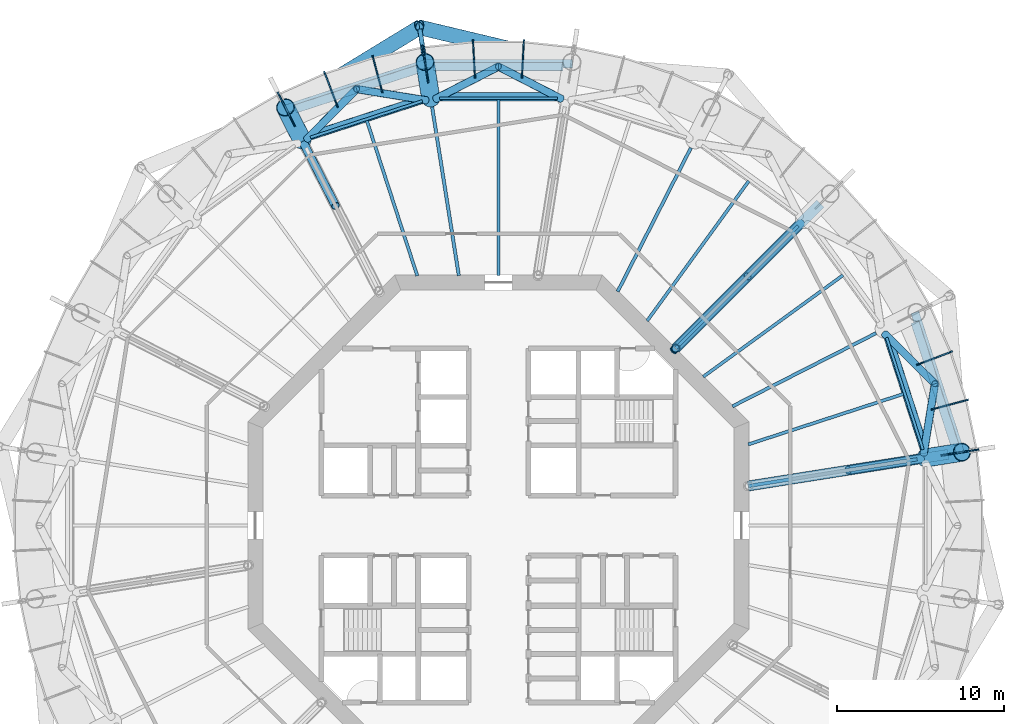
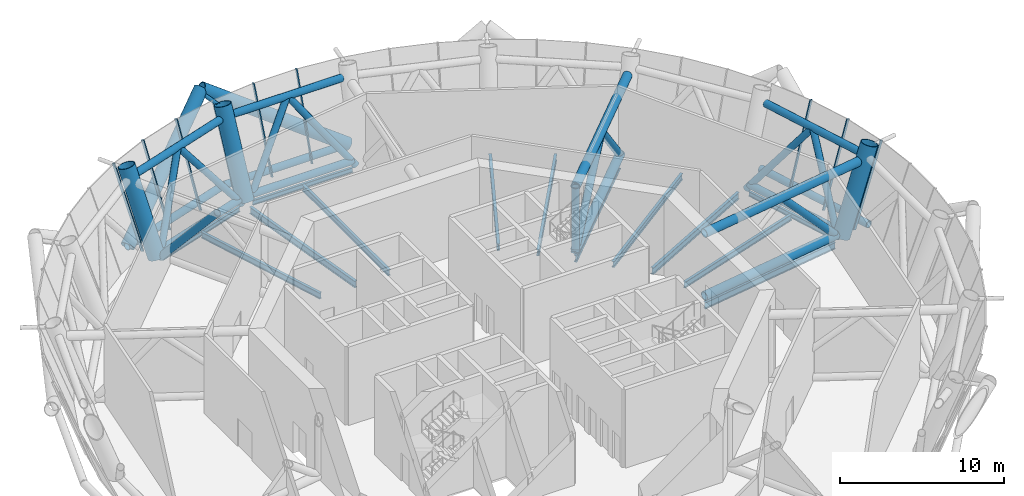
# One storey, part 5 of 15: 39 members, 13 beams, 4 elements without a shape of their own.
"""IFC4 building model written with IfcOpenShell, lengths in metres."""

import ifcopenshell
import ifcopenshell.guid

model = None  # the IFC model being written
_history = None  # IfcOwnerHistory: only IFC2X3 demands one
_inside = {}  # id of a spatial element -> (the spatial element, [elements in it])
_under = {}  # id of a project, library or spatial element -> (it, [spatial elements below it])
_declared = {}  # id of a project -> (the project, [libraries it declares])
_typed = {}  # id of a type object -> (the type object, [elements of that type])
_made_of = {}  # id of a material, layer set ... -> (it, [elements and type objects made of it])


def new_model(schema):
    """Start an empty IFC model of exactly this schema.

    Asked for "IFC4X3", IfcOpenShell would pick the latest addendum, in which some entities
    have other attributes; the version numbers below select the first issue.
    IFC2X3 requires an IfcOwnerHistory on every rooted entity: one is made here for all.
    """
    global model, _history
    if schema == "IFC4X3":
        model = ifcopenshell.file(schema_version=(4, 3, 0, 0))
    else:
        model = ifcopenshell.file(schema=schema)
    _inside.clear()
    _under.clear()
    _declared.clear()
    _typed.clear()
    _made_of.clear()
    _history = None
    if model.schema == "IFC2X3":
        org = make("IfcOrganization", Name="unknown")
        user = make(
            "IfcPersonAndOrganization",
            ThePerson=make("IfcPerson", FamilyName="unknown"),
            TheOrganization=org,
        )
        app = make(
            "IfcApplication",
            ApplicationDeveloper=org,
            Version="unknown",
            ApplicationFullName="unknown",
            ApplicationIdentifier="unknown",
        )
        _history = make(
            "IfcOwnerHistory",
            OwningUser=user,
            OwningApplication=app,
            ChangeAction="ADDED",
            CreationDate=0,
        )
    return model


def make(cls, **values):
    """One entity of the class cls with the attributes given. An attribute that is None is left unset."""
    return model.create_entity(
        cls, **{name: value for name, value in values.items() if value is not None}
    )


def rooted(cls, **values):
    """An entity with a GlobalId (a new one), such as an element, a storey or a relation."""
    return make(cls, GlobalId=ifcopenshell.guid.new(), OwnerHistory=_history, **values)


def si_unit(unit_type, name, prefix=None):
    """IfcSIUnit, for example si_unit("LENGTHUNIT", "METRE", prefix="MILLI")."""
    return make("IfcSIUnit", UnitType=unit_type, Prefix=prefix, Name=name)


def assignment(units):
    """IfcUnitAssignment: the units of a project."""
    return None if units is None else make("IfcUnitAssignment", Units=units)


def point(xyz):
    """IfcCartesianPoint."""
    return None if xyz is None else make("IfcCartesianPoint", Coordinates=xyz)


def direction(xyz):
    """IfcDirection."""
    return None if xyz is None else make("IfcDirection", DirectionRatios=xyz)


def frame(location, z_axis=None, x_axis=None):
    """IfcAxis2Placement3D, a coordinate frame: its origin and axes. An axis left out is left unset."""
    return make(
        "IfcAxis2Placement3D",
        Location=point(location),
        Axis=direction(z_axis),
        RefDirection=direction(x_axis),
    )


def frame_2d(location, x_axis=None):
    """IfcAxis2Placement2D, a coordinate frame in the plane: its origin and x axis."""
    return make(
        "IfcAxis2Placement2D", Location=point(location), RefDirection=direction(x_axis)
    )


def origin():
    """The frame at (0, 0, 0) with its axes left unset."""
    return frame((0.0, 0.0, 0.0))


def origin_2d():
    """The frame at (0, 0) in the plane with its x axis left unset."""
    return frame_2d((0.0, 0.0))


def place(relative_to, where):
    """IfcLocalPlacement: puts the frame where relative to a parent placement (None: the world)."""
    return make(
        "IfcLocalPlacement", PlacementRelTo=relative_to, RelativePlacement=where
    )


def context(
    kind, dimensions, precision=None, world=None, true_north=None, identifier=None
):
    """IfcGeometricRepresentationContext, for example the 3D "Model" context."""
    return make(
        "IfcGeometricRepresentationContext",
        ContextIdentifier=identifier,
        ContextType=kind,
        CoordinateSpaceDimension=dimensions,
        Precision=precision,
        WorldCoordinateSystem=world,
        TrueNorth=true_north,
    )


def subcontext(parent, identifier, kind, view, scale=None):
    """IfcGeometricRepresentationSubContext, for example "Body" below "Model"."""
    return make(
        "IfcGeometricRepresentationSubContext",
        ContextIdentifier=identifier,
        ContextType=kind,
        ParentContext=parent,
        TargetScale=scale,
        TargetView=view,
    )


def project(units=None, contexts=None):
    """IfcProject with its units and contexts."""
    return rooted(
        "IfcProject",
        Name="project",
        RepresentationContexts=contexts,
        UnitsInContext=assignment(units),
    )


def spatial(cls, under=None, at=None, **own):
    """A site, building, storey or space (cls), placed at a placement, below another one or the project."""
    s = rooted(cls, ObjectPlacement=at, **own)
    if under is not None:
        _under.setdefault(under.id(), (under, []))[1].append(s)
    return s


def profile(cls, at=None, kind="AREA", **sizes):
    """A parametric profile (cls). Its sizes go by their IFC names, for example OverallWidth=200.0."""
    return make(cls, ProfileType=kind, Position=at, **sizes)


def rectangle(**sizes):
    """IfcRectangleProfileDef."""
    return profile("IfcRectangleProfileDef", **sizes)


def circle(**sizes):
    """IfcCircleProfileDef."""
    return profile("IfcCircleProfileDef", **sizes)


def hollow_circle(**sizes):
    """IfcCircleHollowProfileDef."""
    return profile("IfcCircleHollowProfileDef", **sizes)


def i_section(**sizes):
    """IfcIShapeProfileDef."""
    return profile("IfcIShapeProfileDef", **sizes)


def extrude(swept, where, along, depth):
    """IfcExtrudedAreaSolid: the profile swept, set in the frame where, extruded along a direction by depth."""
    return make(
        "IfcExtrudedAreaSolid",
        SweptArea=swept,
        Position=where,
        ExtrudedDirection=direction(along),
        Depth=depth,
    )


def shape(context_of_items, identifier, shape_type, items):
    """IfcShapeRepresentation: the items that make up one representation, for example the "Body"."""
    return make(
        "IfcShapeRepresentation",
        ContextOfItems=context_of_items,
        RepresentationIdentifier=identifier,
        RepresentationType=shape_type,
        Items=items,
    )


def material(Name=None, Category=None):
    """IfcMaterial."""
    return make("IfcMaterial", Name=Name, Category=Category)


def layer(
    of_material, thickness, ventilated=None, Name=None, Category=None, Priority=None
):
    """IfcMaterialLayer: one layer of a wall or slab, of a material (None: an air gap)."""
    return make(
        "IfcMaterialLayer",
        Material=of_material,
        LayerThickness=thickness,
        IsVentilated=ventilated,
        Name=Name,
        Category=Category,
        Priority=Priority,
    )


def layer_set(layers, Name=None):
    """IfcMaterialLayerSet."""
    return make("IfcMaterialLayerSet", MaterialLayers=layers, LayerSetName=Name)


def material_profile(
    of_material, cross_section, Name=None, Category=None, Priority=None
):
    """IfcMaterialProfile: a cross section and its material."""
    return make(
        "IfcMaterialProfile",
        Name=Name,
        Material=of_material,
        Profile=cross_section,
        Priority=Priority,
        Category=Category,
    )


def profile_set(profiles, Name=None, composite=None):
    """IfcMaterialProfileSet."""
    return make(
        "IfcMaterialProfileSet",
        Name=Name,
        MaterialProfiles=profiles,
        CompositeProfile=composite,
    )


def made_of(thing, what):
    """Note that an element or type object is made of a material, layer set ...; save() writes the relation."""
    if what is not None:
        _made_of.setdefault(what.id(), (what, []))[1].append(thing)
    return thing


def type_object(cls, material=None, **own):
    """A type object (cls), such as IfcWallType, which elements share."""
    return made_of(rooted(cls, **own), material)


def element(
    cls,
    number,
    at=None,
    inside=None,
    cuts=None,
    type_object=None,
    material=None,
    context=None,
    identifier="Body",
    shape_type=None,
    held_by="IfcProductDefinitionShape",
    body=None,
    shapes=None,
    **own,
):
    """One element of the class cls, such as IfcWall. Its Tag is "e" and its number.

    at: its placement. inside: the storey or other place that contains it. cuts: it is an
    opening in that element (IfcRelVoidsElement). A single representation is given by context,
    identifier, shape_type and body (its items); several are given by shapes. held_by: the class
    of the entity that holds the representations. save() writes the other relations.
    """
    e = rooted(cls, Tag="e%d" % number, ObjectPlacement=at, **own)
    if body is not None:
        shapes = [shape(context, identifier, shape_type, body)]
    if shapes is not None:
        e.Representation = make(held_by, Representations=shapes)
    if inside is not None:
        _inside.setdefault(inside.id(), (inside, []))[1].append(e)
    if cuts is not None:
        rooted(
            "IfcRelVoidsElement", RelatingBuildingElement=cuts, RelatedOpeningElement=e
        )
    if type_object is not None:
        _typed.setdefault(type_object.id(), (type_object, []))[1].append(e)
    return made_of(e, material)


def aggregate(whole, parts):
    """IfcRelAggregates: a whole, such as a stair, and the parts it consists of."""
    return rooted("IfcRelAggregates", RelatingObject=whole, RelatedObjects=parts)


def save(model, path):
    """Write the relations noted so far, then the file.

    IfcRelAggregates (storeys below a building ...), IfcRelContainedInSpatialStructure (elements
    in a storey), IfcRelDefinesByType, IfcRelAssociatesMaterial and IfcRelDeclares: one each for
    every whole, place, type object, material and project.
    """
    for whole, parts in _under.values():
        aggregate(whole, parts)
    for where, things in _inside.values():
        rooted(
            "IfcRelContainedInSpatialStructure",
            RelatedElements=things,
            RelatingStructure=where,
        )
    for kind, things in _typed.values():
        rooted("IfcRelDefinesByType", RelatedObjects=things, RelatingType=kind)
    for what, things in _made_of.values():
        rooted("IfcRelAssociatesMaterial", RelatedObjects=things, RelatingMaterial=what)
    for by, libraries in _declared.values():
        rooted("IfcRelDeclares", RelatingContext=by, RelatedDefinitions=libraries)
    model.write(path)


model = new_model("IFC4")

# Units and contexts
model_context = context("Model", 3, precision=1e-05, world=origin(), true_north=direction((0.0, 1.0)))
body_context = subcontext(model_context, "Body", "Model", "MODEL_VIEW")
ifc_project = project(units=[si_unit("LENGTHUNIT", "METRE"), si_unit("AREAUNIT", "SQUARE_METRE"), si_unit("VOLUMEUNIT", "CUBIC_METRE"), si_unit("PLANEANGLEUNIT", "RADIAN"), si_unit("MASSUNIT", "GRAM", prefix="KILO")], contexts=[model_context])

# Site, building, storey
site_placement = place(None, origin())
site = spatial("IfcSite", under=ifc_project, at=site_placement, CompositionType="ELEMENT")
building_placement = place(site_placement, origin())
building = spatial("IfcBuilding", under=site, at=building_placement, Name="Entoto Ring Tower", CompositionType="ELEMENT")
storey_placement = place(building_placement, frame((0.0, 0.0, 268.0)))
storey = spatial("IfcBuildingStorey", under=building, at=storey_placement, Name="L61", CompositionType="ELEMENT", Elevation=268.0)

# Members
ifc_material_1 = material(Name="Steel S355", Category="steel")
ifc_material_profile_1 = material_profile(ifc_material_1, hollow_circle(Radius=0.449951171875, WallThickness=0.044921875, at=origin_2d()), Name="CHS 900 x 45")
ifc_material_2 = material(Name="Concrete C60/75", Category="concrete")
ifc_material_profile_2 = material_profile(ifc_material_2, circle(Radius=0.405029296875, at=origin_2d()), Name="Concrete C60/75 infill")
ifc_profile_set_1 = profile_set([ifc_material_profile_1, ifc_material_profile_2], Name="Steel S355")
member_type_1 = type_object("IfcMemberType", Name="Diagrid diagonal 900 x 45 concrete-filled tube", PredefinedType="BRACE", material=ifc_profile_set_1)
member_1_placement = place(storey_placement, frame((94.380126953125, 107.6552734375, 0.0), z_axis=(-0.818886187126, 0.195432990063, 0.539658557728), x_axis=(-0.232137674521, -0.972682939127, 0.0)))
element("IfcMember", 1, at=member_1_placement, inside=storey, type_object=member_type_1, Name="DG2 module 21 06", PredefinedType="BRACE", context=body_context, shape_type="SweptSolid", body=[
    extrude(hollow_circle(Radius=0.449951171875, WallThickness=0.044921875, at=origin_2d()), origin(), (0.0, 0.0, 1.0), 11.1181640625),
])
member_2_placement = place(storey_placement, frame((77.288330078125, 104.9482421875, 0.0), z_axis=(0.718410935775, 0.438916670262, 0.539664603179), x_axis=(-0.521352941047, 0.853341145652, 0.0)))
element("IfcMember", 2, at=member_2_placement, inside=storey, type_object=member_type_1, Name="DG2 module 21 07", PredefinedType="BRACE", context=body_context, shape_type="SweptSolid", body=[
    extrude(hollow_circle(Radius=0.449951171875, WallThickness=0.044921875, at=origin_2d()), origin(), (0.0, 0.0, 1.0), 11.117919921875),
])
ifc_material_3 = material(Name="Steel S355", Category="steel")
ifc_material_profile_3 = material_profile(ifc_material_3, hollow_circle(Radius=0.136474609375, WallThickness=0.012451171875, at=origin_2d()), Name="CHS 273 x 12.5")
ifc_material_4 = material(Name="Concrete C60/75", Category="concrete")
ifc_material_profile_4 = material_profile(ifc_material_4, circle(Radius=0.1240234375, at=origin_2d()), Name="Concrete C60/75 infill")
ifc_profile_set_2 = profile_set([ifc_material_profile_3, ifc_material_profile_4], Name="Steel S355")
member_type_2 = type_object("IfcMemberType", Name="Diagrid node strut 273 x 12.5", PredefinedType="STRUT", material=ifc_profile_set_2)
member_3_placement = place(storey_placement, frame((85.53759765625, 108.173828125, 5.71337890625), z_axis=(-0.156400343382, 0.987693744331, 0.0), x_axis=(-0.987693744331, -0.156400343382, 0.0)))
element("IfcMember", 3, at=member_3_placement, inside=storey, type_object=member_type_2, Name="DS2 strut ring 21 05", PredefinedType="STRUT", context=body_context, shape_type="SweptSolid", body=[
    extrude(hollow_circle(Radius=0.136474609375, WallThickness=0.012451171875, at=origin_2d()), origin(), (0.0, 0.0, 1.0), 1.574951171875),
])
ifc_material_5 = material(Name="Steel S355", Category="steel")
ifc_material_profile_5 = material_profile(ifc_material_5, hollow_circle(Radius=0.25390625, WallThickness=0.030029296875, at=origin_2d()), Name="CHS 508 x 30")
ifc_material_6 = material(Name="Concrete C60/75", Category="concrete")
ifc_material_profile_6 = material_profile(ifc_material_6, circle(Radius=0.22412109375, at=origin_2d()), Name="Concrete C60/75 infill")
ifc_profile_set_3 = profile_set([ifc_material_profile_5, ifc_material_profile_6], Name="Steel S355")
member_type_3 = type_object("IfcMemberType", Name="Diagrid ring beam 508 x 30", PredefinedType="CHORD", material=ifc_profile_set_3)
member_4_placement = place(storey_placement, frame((117.673828125, 84.322998046875, 0.0), z_axis=(-0.309002151976, 0.951061338755, 0.0), x_axis=(-0.951061338755, -0.309002151976, 0.0)))
element("IfcMember", 4, at=member_4_placement, inside=storey, type_object=member_type_3, Name="DR2 ring 20 01", PredefinedType="CHORD", context=body_context, shape_type="SweptSolid", body=[
    extrude(hollow_circle(Radius=0.25390625, WallThickness=0.030029296875, at=origin_2d()), origin(), (0.0, 0.0, 1.0), 8.880615234375),
])
member_5_placement = place(storey_placement, frame((94.4404296875, 107.6552734375, 0.0), z_axis=(-1.0, 0.0, 0.0), x_axis=(0.0, -1.0, 0.0)))
element("IfcMember", 5, at=member_5_placement, inside=storey, type_object=member_type_3, Name="DR2 ring 20 05", PredefinedType="CHORD", context=body_context, shape_type="SweptSolid", body=[
    extrude(hollow_circle(Radius=0.25390625, WallThickness=0.030029296875, at=origin_2d()), origin(), (0.0, 0.0, 1.0), 8.880859375),
])
member_6_placement = place(storey_placement, frame((85.677001953125, 107.673828125, 0.0), z_axis=(-0.951061338755, -0.309002151976, 0.0), x_axis=(0.309002151976, -0.951061338755, 0.0)))
element("IfcMember", 6, at=member_6_placement, inside=storey, type_object=member_type_3, Name="DR2 ring 20 06", PredefinedType="CHORD", context=body_context, shape_type="SweptSolid", body=[
    extrude(hollow_circle(Radius=0.25390625, WallThickness=0.030029296875, at=origin_2d()), origin(), (0.0, 0.0, 1.0), 8.880615234375),
])

# Beams
ifc_material_7 = material(Name="Steel S355", Category="steel")
ifc_material_profile_7 = material_profile(ifc_material_7, i_section(OverallWidth=0.169921875, OverallDepth=0.360107421875, WebThickness=0.008056640625, FlangeThickness=0.0126953125, FilletRadius=0.01806640625, at=origin_2d()), Name="IPE 360")
ifc_profile_set_4 = profile_set([ifc_material_profile_7], Name="Steel S355")
beam_type_1 = type_object("IfcBeamType", Name="Edge beam IPE 360", PredefinedType="SPANDREL", material=ifc_profile_set_4)
beam_1_placement = place(storey_placement, frame((115.41943359375, 84.54931640625, -0.330078125), z_axis=(-0.309015666013, 0.951056947905, 0.0), x_axis=(-0.951056947905, -0.309015666013, 0.0)))
element("IfcBeam", 7, at=beam_1_placement, inside=storey, type_object=beam_type_1, Name="Edge beam L61 01", PredefinedType="SPANDREL", context=body_context, shape_type="SweptSolid", body=[
    extrude(i_section(OverallWidth=0.169921875, OverallDepth=0.360107421875, WebThickness=0.008056640625, FlangeThickness=0.0126953125, FilletRadius=0.01806640625, at=origin_2d()), origin(), (0.0, 0.0, 1.0), 7.056884765625),
])
beam_2_placement = place(storey_placement, frame((93.5283203125, 105.5810546875, -0.330078125), z_axis=(-1.0, 0.0, 0.0), x_axis=(0.0, -1.0, 0.0)))
element("IfcBeam", 8, at=beam_2_placement, inside=storey, type_object=beam_type_1, Name="Edge beam L61 05", PredefinedType="SPANDREL", context=body_context, shape_type="SweptSolid", body=[
    extrude(i_section(OverallWidth=0.169921875, OverallDepth=0.360107421875, WebThickness=0.008056640625, FlangeThickness=0.0126953125, FilletRadius=0.01806640625, at=origin_2d()), origin(), (0.0, 0.0, 1.0), 7.056640625),
])
beam_3_placement = place(storey_placement, frame((85.45068359375, 105.41943359375, -0.330078125), z_axis=(-0.951056947905, -0.309015666013, 0.0), x_axis=(0.309015666013, -0.951056947905, 0.0)))
element("IfcBeam", 9, at=beam_3_placement, inside=storey, type_object=beam_type_1, Name="Edge beam L61 06", PredefinedType="SPANDREL", context=body_context, shape_type="SweptSolid", body=[
    extrude(i_section(OverallWidth=0.169921875, OverallDepth=0.360107421875, WebThickness=0.008056640625, FlangeThickness=0.0126953125, FilletRadius=0.01806640625, at=origin_2d()), origin(), (0.0, 0.0, 1.0), 7.056884765625),
])

# Curtain wall, members
ifc_material_8 = material(Name="Anodised aluminium", Category="aluminium")
ifc_layer = layer(ifc_material_8, 0.10009765625)
ifc_layer_set = layer_set([ifc_layer], Name="Anodised aluminium")
curtain_wall_type = type_object("IfcCurtainWallType", Name="Louvre curtain wall system CW7", PredefinedType="NOTDEFINED", material=ifc_layer_set)
curtain_wall_1_placement = place(storey_placement, origin())
curtain_wall_1 = element("IfcCurtainWall", 10, at=curtain_wall_1_placement, inside=storey, type_object=curtain_wall_type, Name="CW7 L61-01", PredefinedType="NOTDEFINED")
ifc_material_9 = material(Name="Anodised aluminium", Category="aluminium")
ifc_material_profile_8 = material_profile(ifc_material_9, rectangle(XDim=0.080078125, YDim=0.199951171875, at=origin_2d()), Name="Mullion 80 x 200 mm anodised aluminium")
ifc_profile_set_5 = profile_set([ifc_material_profile_8], Name="Anodised aluminium")
member_type_4 = type_object("IfcMemberType", Name="Mullion 80 x 200 mm anodised aluminium", PredefinedType="MULLION", material=ifc_profile_set_5)
member_7_placement = place(storey_placement, frame((116.587646484375, 84.211181640625, 0.034423828125), z_axis=(0.340024610762, 0.05384251649, 0.938873925239), x_axis=(-0.156400202324, 0.987693766667, 0.0)))
member_7 = element("IfcMember", 11, at=member_7_placement, type_object=member_type_4, Name="MULLION L61-00", PredefinedType="MULLION", context=body_context, shape_type="SweptSolid", body=[
    extrude(rectangle(XDim=0.080078125, YDim=0.199951171875, at=origin_2d()), origin(), (0.0, 0.0, 1.0), 6.15771484375),
])
member_8_placement = place(storey_placement, frame((116.001953125, 86.96728515625, 0.034423828125), z_axis=(0.332496103447, 0.089091192994, 0.938887160698), x_axis=(-0.258816688586, 0.965926457713, 0.0)))
member_8 = element("IfcMember", 12, at=member_8_placement, type_object=member_type_4, Name="MULLION L61-01", PredefinedType="MULLION", context=body_context, shape_type="SweptSolid", body=[
    extrude(rectangle(XDim=0.080078125, YDim=0.199951171875, at=origin_2d()), origin(), (0.0, 0.0, 1.0), 6.157470703125),
])
member_9_placement = place(storey_placement, frame((115.131103515625, 89.64697265625, 0.034423828125), z_axis=(0.321391478901, 0.123346766699, 0.938878635626), x_axis=(-0.358307531587, 0.933603616536, 0.0)))
member_9 = element("IfcMember", 13, at=member_9_placement, type_object=member_type_4, Name="MULLION L61-02", PredefinedType="MULLION", context=body_context, shape_type="SweptSolid", body=[
    extrude(rectangle(XDim=0.080078125, YDim=0.199951171875, at=origin_2d()), origin(), (0.0, 0.0, 1.0), 6.15771484375),
])
aggregate(curtain_wall_1, [member_7, member_8, member_9])

curtain_wall_2_placement = place(storey_placement, origin())
curtain_wall_2 = element("IfcCurtainWall", 14, at=curtain_wall_2_placement, inside=storey, type_object=curtain_wall_type, Name="CW7 L61-05", PredefinedType="NOTDEFINED")
member_10_placement = place(storey_placement, frame((91.408935546875, 106.88232421875, 0.034423828125), z_axis=(0.018000609469, 0.343756132372, 0.938886414597), x_axis=(-0.998631793981, 0.052292829812, 0.0)))
member_10 = element("IfcMember", 15, at=member_10_placement, type_object=member_type_4, Name="MULLION L61-13", PredefinedType="MULLION", context=body_context, shape_type="SweptSolid", body=[
    extrude(rectangle(XDim=0.080078125, YDim=0.199951171875, at=origin_2d()), origin(), (0.0, 0.0, 1.0), 6.157470703125),
])
member_11_placement = place(storey_placement, frame((88.591064453125, 106.88232421875, 0.034423828125), z_axis=(-0.018000609469, 0.343756132372, 0.938886414597), x_axis=(-0.998631793981, -0.052292829812, 0.0)))
member_11 = element("IfcMember", 16, at=member_11_placement, type_object=member_type_4, Name="MULLION L61-14", PredefinedType="MULLION", context=body_context, shape_type="SweptSolid", body=[
    extrude(rectangle(XDim=0.080078125, YDim=0.199951171875, at=origin_2d()), origin(), (0.0, 0.0, 1.0), 6.157470703125),
])
aggregate(curtain_wall_2, [member_10, member_11])

curtain_wall_3_placement = place(storey_placement, origin())
curtain_wall_3 = element("IfcCurtainWall", 17, at=curtain_wall_3_placement, inside=storey, type_object=curtain_wall_type, Name="CW7 L61-06", PredefinedType="NOTDEFINED")
member_12_placement = place(storey_placement, frame((85.788818359375, 106.587646484375, 0.034423828125), z_axis=(-0.05384251649, 0.340024610762, 0.938873925239), x_axis=(-0.987693766667, -0.156400202324, 0.0)))
member_12 = element("IfcMember", 18, at=member_12_placement, type_object=member_type_4, Name="MULLION L61-15", PredefinedType="MULLION", context=body_context, shape_type="SweptSolid", body=[
    extrude(rectangle(XDim=0.080078125, YDim=0.199951171875, at=origin_2d()), origin(), (0.0, 0.0, 1.0), 6.15771484375),
])
member_13_placement = place(storey_placement, frame((83.03271484375, 106.001953125, 0.034423828125), z_axis=(-0.089091192994, 0.332496103447, 0.938887160698), x_axis=(-0.965926457713, -0.258816688586, 0.0)))
member_13 = element("IfcMember", 19, at=member_13_placement, type_object=member_type_4, Name="MULLION L61-16", PredefinedType="MULLION", context=body_context, shape_type="SweptSolid", body=[
    extrude(rectangle(XDim=0.080078125, YDim=0.199951171875, at=origin_2d()), origin(), (0.0, 0.0, 1.0), 6.157470703125),
])
member_14_placement = place(storey_placement, frame((80.35302734375, 105.131103515625, 0.034423828125), z_axis=(-0.123346766699, 0.321391478901, 0.938878635626), x_axis=(-0.933603616536, -0.358307531587, 0.0)))
member_14 = element("IfcMember", 20, at=member_14_placement, type_object=member_type_4, Name="MULLION L61-17", PredefinedType="MULLION", context=body_context, shape_type="SweptSolid", body=[
    extrude(rectangle(XDim=0.080078125, YDim=0.199951171875, at=origin_2d()), origin(), (0.0, 0.0, 1.0), 6.15771484375),
])
aggregate(curtain_wall_3, [member_12, member_13, member_14])

# Curtain wall, member
curtain_wall_4_placement = place(storey_placement, origin())
curtain_wall_4 = element("IfcCurtainWall", 21, at=curtain_wall_4_placement, inside=storey, type_object=curtain_wall_type, Name="CW7 L61-07", PredefinedType="NOTDEFINED")
member_15_placement = place(storey_placement, frame((77.779052734375, 103.985107421875, 0.034423828125), z_axis=(-0.156294806902, 0.306721620039, 0.938879002394), x_axis=(-0.890992028784, -0.454018947449, 0.0)))
member_15 = element("IfcMember", 22, at=member_15_placement, type_object=member_type_4, Name="MULLION L61-18", PredefinedType="MULLION", context=body_context, shape_type="SweptSolid", body=[
    extrude(rectangle(XDim=0.080078125, YDim=0.199951171875, at=origin_2d()), origin(), (0.0, 0.0, 1.0), 6.15771484375),
])
aggregate(curtain_wall_4, [member_15])

# Members
ifc_material_10 = material(Name="Steel S355", Category="steel")
ifc_material_profile_9 = material_profile(ifc_material_10, hollow_circle(Radius=0.304931640625, WallThickness=0.030029296875, at=origin_2d()), Name="CHS 610 x 30")
ifc_material_11 = material(Name="Concrete C60/75", Category="concrete")
ifc_material_profile_10 = material_profile(ifc_material_11, circle(Radius=0.27490234375, at=origin_2d()), Name="Concrete C60/75 infill")
ifc_profile_set_6 = profile_set([ifc_material_profile_9, ifc_material_profile_10], Name="Steel S355")
member_type_5 = type_object("IfcMemberType", Name="Outrigger chord 610 x 30", PredefinedType="CHORD", material=ifc_profile_set_6)
member_16_placement = place(storey_placement, frame((104.9326171875, 82.364990234375, 0.304931640625), z_axis=(0.987685948615, 0.156449566663, 0.0), x_axis=(-0.156449566663, 0.987685948615, 0.0)))
element("IfcMember", 23, at=member_16_placement, inside=storey, type_object=member_type_5, Name="OR1B L61 bottom 01", PredefinedType="CHORD", context=body_context, shape_type="SweptSolid", body=[
    extrude(hollow_circle(Radius=0.304931640625, WallThickness=0.030029296875, at=origin_2d()), origin(), (0.0, 0.0, 1.0), 10.42578125),
])
member_17_placement = place(storey_placement, frame((104.9326171875, 82.364990234375, 4.9951171875), z_axis=(0.987685916285, 0.156449770763, 0.0), x_axis=(-0.156449770763, 0.987685916285, 0.0)))
element("IfcMember", 24, at=member_17_placement, inside=storey, type_object=member_type_5, Name="OR1B L61 top 01", PredefinedType="CHORD", context=body_context, shape_type="SweptSolid", body=[
    extrude(hollow_circle(Radius=0.304931640625, WallThickness=0.030029296875, at=origin_2d()), origin(), (0.0, 0.0, 1.0), 12.1455078125),
])
member_18_placement = place(storey_placement, frame((100.592529296875, 90.592529296875, 0.304931640625), z_axis=(0.707106781187, 0.707106781187, 0.0), x_axis=(-0.707106781187, 0.707106781187, 0.0)))
element("IfcMember", 25, at=member_18_placement, inside=storey, type_object=member_type_5, Name="OR1B L61 bottom 02", PredefinedType="CHORD", context=body_context, shape_type="SweptSolid", body=[
    extrude(hollow_circle(Radius=0.304931640625, WallThickness=0.030029296875, at=origin_2d()), origin(), (0.0, 0.0, 1.0), 10.564208984375),
])
member_19_placement = place(storey_placement, frame((100.592529296875, 90.592529296875, 4.9951171875), z_axis=(0.707106781187, 0.707106781187, 0.0), x_axis=(-0.707106781187, 0.707106781187, 0.0)))
element("IfcMember", 26, at=member_19_placement, inside=storey, type_object=member_type_5, Name="OR1B L61 top 02", PredefinedType="CHORD", context=body_context, shape_type="SweptSolid", body=[
    extrude(hollow_circle(Radius=0.304931640625, WallThickness=0.030029296875, at=origin_2d()), origin(), (0.0, 0.0, 1.0), 12.283935546875),
])
ifc_material_12 = material(Name="Steel S355", Category="steel")
ifc_material_profile_11 = material_profile(ifc_material_12, hollow_circle(Radius=0.25390625, WallThickness=0.030029296875, at=origin_2d()), Name="CHS 508 x 30")
ifc_material_13 = material(Name="Concrete C60/75", Category="concrete")
ifc_material_profile_12 = material_profile(ifc_material_13, circle(Radius=0.22412109375, at=origin_2d()), Name="Concrete C60/75 infill")
ifc_profile_set_7 = profile_set([ifc_material_profile_11, ifc_material_profile_12], Name="Steel S355")
member_type_6 = type_object("IfcMemberType", Name="Outrigger diagonal 508 x 30", PredefinedType="BRACE", material=ifc_profile_set_7)
member_20_placement = place(storey_placement, frame((110.92333984375, 83.31396484375, 4.9951171875), z_axis=(0.665590911543, 0.1054207135, -0.738833683339), x_axis=(-0.156436592292, 0.987688003669, 0.0)))
element("IfcMember", 27, at=member_20_placement, inside=storey, type_object=member_type_6, Name="OR2B L61 01 2", PredefinedType="BRACE", context=body_context, shape_type="SweptSolid", body=[
    extrude(hollow_circle(Radius=0.25390625, WallThickness=0.030029296875, at=origin_2d()), origin(), (0.0, 0.0, 1.0), 6.59326171875),
])
member_21_placement = place(storey_placement, frame((100.48583984375, 90.48583984375, 0.173583984375), z_axis=(0.560250975636, 0.560250975636, 0.610112849068), x_axis=(-0.707106781187, 0.707106781187, 0.0)))
element("IfcMember", 28, at=member_21_placement, inside=storey, type_object=member_type_6, Name="OR2B L61 02 1", PredefinedType="BRACE", context=body_context, shape_type="SweptSolid", body=[
    extrude(hollow_circle(Radius=0.25390625, WallThickness=0.030029296875, at=origin_2d()), origin(), (0.0, 0.0, 1.0), 7.902587890625),
])
member_22_placement = place(storey_placement, frame((104.913330078125, 94.913330078125, 4.9951171875), z_axis=(0.482096478107, 0.482096478107, -0.731550388965), x_axis=(-0.707106781187, 0.707106781187, 0.0)))
element("IfcMember", 29, at=member_22_placement, inside=storey, type_object=member_type_6, Name="OR2B L61 02 2", PredefinedType="BRACE", context=body_context, shape_type="SweptSolid", body=[
    extrude(hollow_circle(Radius=0.25390625, WallThickness=0.030029296875, at=origin_2d()), origin(), (0.0, 0.0, 1.0), 6.6513671875),
])
member_23_placement = place(storey_placement, frame((80.249755859375, 99.135986328125, 4.9951171875), z_axis=(-0.293961232507, 0.576929349565, -0.762062542967), x_axis=(-0.891005870515, -0.453991782643, 0.0)))
element("IfcMember", 30, at=member_23_placement, inside=storey, type_object=member_type_6, Name="OR2B L61 04 2", PredefinedType="BRACE", context=body_context, shape_type="SweptSolid", body=[
    extrude(hollow_circle(Radius=0.25390625, WallThickness=0.030029296875, at=origin_2d()), origin(), (0.0, 0.0, 1.0), 6.418212890625),
])
ifc_material_14 = material(Name="Steel S355", Category="steel")
ifc_material_profile_13 = material_profile(ifc_material_14, hollow_circle(Radius=0.25390625, WallThickness=0.030029296875, at=origin_2d()), Name="CHS 508 x 30")
ifc_material_15 = material(Name="Concrete C60/75", Category="concrete")
ifc_material_profile_14 = material_profile(ifc_material_15, circle(Radius=0.22412109375, at=origin_2d()), Name="Concrete C60/75 infill")
ifc_profile_set_8 = profile_set([ifc_material_profile_13, ifc_material_profile_14], Name="Steel S355")
member_type_7 = type_object("IfcMemberType", Name="Outrigger post 508 x 30", PredefinedType="POST", material=ifc_profile_set_8)
member_24_placement = place(storey_placement, frame((100.606689453125, 90.606689453125, 0.304931640625), z_axis=(0.0, 0.0, 1.0), x_axis=(1.0, 0.0, 0.0)))
element("IfcMember", 31, at=member_24_placement, inside=storey, type_object=member_type_7, Name="OR3 L61 02", PredefinedType="POST", context=body_context, shape_type="SweptSolid", body=[
    extrude(hollow_circle(Radius=0.25390625, WallThickness=0.030029296875, at=origin_2d()), origin(), (0.0, 0.0, 1.0), 4.690185546875),
])

# Beams
ifc_material_16 = material(Name="Steel S355", Category="steel")
ifc_material_profile_15 = material_profile(ifc_material_16, i_section(OverallWidth=0.199951171875, OverallDepth=0.5, WebThickness=0.01025390625, FlangeThickness=0.01611328125, FilletRadius=0.02099609375, at=origin_2d()), Name="IPE 500")
ifc_profile_set_9 = profile_set([ifc_material_profile_15], Name="Steel S355")
beam_type_2 = type_object("IfcBeamType", Name="Primary floor beam IPE 500", PredefinedType="BEAM", material=ifc_profile_set_9)
beam_4_placement = place(storey_placement, frame((104.964599609375, 82.3701171875, -0.39990234375), z_axis=(0.987687565202, 0.156439360602, 0.0), x_axis=(-0.156439360602, 0.987687565202, 0.0)))
element("IfcBeam", 32, at=beam_4_placement, inside=storey, type_object=beam_type_2, Name="Primary L61 R01", PredefinedType="BEAM", context=body_context, shape_type="SweptSolid", body=[
    extrude(i_section(OverallWidth=0.199951171875, OverallDepth=0.5, WebThickness=0.01025390625, FlangeThickness=0.01611328125, FilletRadius=0.02099609375, at=origin_2d()), origin(), (0.0, 0.0, 1.0), 10.228271484375),
])
beam_5_placement = place(storey_placement, frame((104.006103515625, 87.136474609375, -0.39990234375), z_axis=(0.891004583726, 0.453994308092, 0.0), x_axis=(-0.453994308092, 0.891004583726, 0.0)))
element("IfcBeam", 33, at=beam_5_placement, inside=storey, type_object=beam_type_2, Name="Primary L61 R02", PredefinedType="BEAM", context=body_context, shape_type="SweptSolid", body=[
    extrude(i_section(OverallWidth=0.199951171875, OverallDepth=0.5, WebThickness=0.01025390625, FlangeThickness=0.01611328125, FilletRadius=0.02099609375, at=origin_2d()), origin(), (0.0, 0.0, 1.0), 9.659912109375),
])
beam_6_placement = place(storey_placement, frame((100.592529296875, 90.592529296875, -0.39990234375), z_axis=(0.707106781187, 0.707106781187, 0.0), x_axis=(-0.707106781187, 0.707106781187, 0.0)))
element("IfcBeam", 34, at=beam_6_placement, inside=storey, type_object=beam_type_2, Name="Primary L61 R03", PredefinedType="BEAM", context=body_context, shape_type="SweptSolid", body=[
    extrude(i_section(OverallWidth=0.199951171875, OverallDepth=0.5, WebThickness=0.01025390625, FlangeThickness=0.01611328125, FilletRadius=0.02099609375, at=origin_2d()), origin(), (0.0, 0.0, 1.0), 10.399169921875),
])
beam_7_placement = place(storey_placement, frame((97.136474609375, 94.006103515625, -0.39990234375), z_axis=(0.453994308092, 0.891004583726, 0.0), x_axis=(-0.891004583726, 0.453994308092, 0.0)))
element("IfcBeam", 35, at=beam_7_placement, inside=storey, type_object=beam_type_2, Name="Primary L61 R04", PredefinedType="BEAM", context=body_context, shape_type="SweptSolid", body=[
    extrude(i_section(OverallWidth=0.199951171875, OverallDepth=0.5, WebThickness=0.01025390625, FlangeThickness=0.01611328125, FilletRadius=0.02099609375, at=origin_2d()), origin(), (0.0, 0.0, 1.0), 9.659912109375),
])
beam_8_placement = place(storey_placement, frame((87.6298828125, 94.964599609375, -0.39990234375), z_axis=(-0.156439360602, 0.987687565202, 0.0), x_axis=(-0.987687565202, -0.156439360602, 0.0)))
element("IfcBeam", 36, at=beam_8_placement, inside=storey, type_object=beam_type_2, Name="Primary L61 R06", PredefinedType="BEAM", context=body_context, shape_type="SweptSolid", body=[
    extrude(i_section(OverallWidth=0.199951171875, OverallDepth=0.5, WebThickness=0.01025390625, FlangeThickness=0.01611328125, FilletRadius=0.02099609375, at=origin_2d()), origin(), (0.0, 0.0, 1.0), 10.228271484375),
])

# Members
ifc_material_17 = material(Name="Steel S355", Category="steel")
ifc_material_profile_16 = material_profile(ifc_material_17, hollow_circle(Radius=0.550048828125, WallThickness=0.044921875, at=origin_2d()), Name="CHS 1100 x 45")
ifc_material_18 = material(Name="Concrete C60/75", Category="concrete")
ifc_material_profile_17 = material_profile(ifc_material_18, circle(Radius=0.5048828125, at=origin_2d()), Name="Concrete C60/75 infill")
ifc_profile_set_10 = profile_set([ifc_material_profile_16, ifc_material_profile_17], Name="Steel S355")
member_type_8 = type_object("IfcMemberType", Name="Ring column jog 1100 x 45 concrete-filled tube", PredefinedType="STRUT", material=ifc_profile_set_10)
for number, where, z_axis, x_axis, name in (
    (37, (115.5810546875, 84.0517578125, 0.0), (0.340041863298, 0.053827545825, 0.938868535267), (-0.156350040137, 0.987701708488, 0.0), "RJ4B R01"),
    (38, (85.9482421875, 105.5810546875, 0.0), (-0.053827545825, 0.340041863298, 0.938868535267), (-0.987701708488, -0.156350040137, 0.0), "RJ4B R06"),
    (39, (78.24169921875, 103.0771484375, 0.0), (-0.156288439927, 0.306731822092, 0.938876729322), (-0.891005618941, -0.453992276384, 0.0), "RJ4B R07"),
):
    element("IfcMember", number, at=place(storey_placement, frame(where, z_axis=z_axis, x_axis=x_axis)), inside=storey, type_object=member_type_8, Name=name, PredefinedType="STRUT", context=body_context, shape_type="SweptSolid", body=[
        extrude(hollow_circle(Radius=0.550048828125, WallThickness=0.044921875, at=origin_2d()), origin(), (0.0, 0.0, 1.0), 6.390625),
    ])
ifc_material_19 = material(Name="Steel S355", Category="steel")
ifc_material_profile_18 = material_profile(ifc_material_19, hollow_circle(Radius=0.25390625, WallThickness=0.030029296875, at=origin_2d()), Name="CHS 508 x 30")
ifc_material_20 = material(Name="Concrete C60/75", Category="concrete")
ifc_material_profile_19 = material_profile(ifc_material_20, circle(Radius=0.22412109375, at=origin_2d()), Name="Concrete C60/75 infill")
ifc_profile_set_11 = profile_set([ifc_material_profile_18, ifc_material_profile_19], Name="Steel S355")
member_type_9 = type_object("IfcMemberType", Name="Ring truss chord 508 x 30", PredefinedType="CHORD", material=ifc_profile_set_11)
member_25_placement = place(storey_placement, frame((115.52734375, 84.5146484375, 0.25390625), z_axis=(-0.309016197858, 0.951056775099, 0.0), x_axis=(-0.951056775099, -0.309016197858, 0.0)))
element("IfcMember", 40, at=member_25_placement, inside=storey, type_object=member_type_9, Name="BT1 L61 bottom 01", PredefinedType="CHORD", context=body_context, shape_type="SweptSolid", body=[
    extrude(hollow_circle(Radius=0.25390625, WallThickness=0.030029296875, at=origin_2d()), origin(), (0.0, 0.0, 1.0), 7.189453125),
])
member_26_placement = place(storey_placement, frame((117.331787109375, 84.80029296875, 5.236083984375), z_axis=(-0.309027746705, 0.951053022584, 0.0), x_axis=(-0.951053022584, -0.309027746705, 0.0)))
element("IfcMember", 41, at=member_26_placement, inside=storey, type_object=member_type_9, Name="BT1 L61 top 01", PredefinedType="CHORD", context=body_context, shape_type="SweptSolid", body=[
    extrude(hollow_circle(Radius=0.25390625, WallThickness=0.030029296875, at=origin_2d()), origin(), (0.0, 0.0, 1.0), 7.76123046875),
])
member_27_placement = place(storey_placement, frame((93.5947265625, 105.673095703125, 0.25390625), z_axis=(-1.0, 0.0, 0.0), x_axis=(0.0, -1.0, 0.0)))
element("IfcMember", 42, at=member_27_placement, inside=storey, type_object=member_type_9, Name="BT1 L61 bottom 05", PredefinedType="CHORD", context=body_context, shape_type="SweptSolid", body=[
    extrude(hollow_circle(Radius=0.25390625, WallThickness=0.030029296875, at=origin_2d()), origin(), (0.0, 0.0, 1.0), 7.189453125),
])
member_28_placement = place(storey_placement, frame((93.880615234375, 107.477294921875, 5.236083984375), z_axis=(-1.0, 0.0, 0.0), x_axis=(0.0, -1.0, 0.0)))
element("IfcMember", 43, at=member_28_placement, inside=storey, type_object=member_type_9, Name="BT1 L61 top 05", PredefinedType="CHORD", context=body_context, shape_type="SweptSolid", body=[
    extrude(hollow_circle(Radius=0.25390625, WallThickness=0.030029296875, at=origin_2d()), origin(), (0.0, 0.0, 1.0), 7.76123046875),
])
member_29_placement = place(storey_placement, frame((85.4853515625, 105.52734375, 0.25390625), z_axis=(-0.951056775099, -0.309016197858, 0.0), x_axis=(0.309016197858, -0.951056775099, 0.0)))
element("IfcMember", 44, at=member_29_placement, inside=storey, type_object=member_type_9, Name="BT1 L61 bottom 06", PredefinedType="CHORD", context=body_context, shape_type="SweptSolid", body=[
    extrude(hollow_circle(Radius=0.25390625, WallThickness=0.030029296875, at=origin_2d()), origin(), (0.0, 0.0, 1.0), 7.189453125),
])
member_30_placement = place(storey_placement, frame((85.19970703125, 107.331787109375, 5.236083984375), z_axis=(-0.951053022584, -0.309027746705, 0.0), x_axis=(0.309027746705, -0.951053022584, 0.0)))
element("IfcMember", 45, at=member_30_placement, inside=storey, type_object=member_type_9, Name="BT1 L61 top 06", PredefinedType="CHORD", context=body_context, shape_type="SweptSolid", body=[
    extrude(hollow_circle(Radius=0.25390625, WallThickness=0.030029296875, at=origin_2d()), origin(), (0.0, 0.0, 1.0), 7.76123046875),
])
ifc_material_21 = material(Name="Steel S355", Category="steel")
ifc_material_profile_20 = material_profile(ifc_material_21, hollow_circle(Radius=0.228515625, WallThickness=0.02001953125, at=origin_2d()), Name="CHS 457 x 20")
ifc_material_22 = material(Name="Concrete C60/75", Category="concrete")
ifc_material_profile_21 = material_profile(ifc_material_22, circle(Radius=0.20849609375, at=origin_2d()), Name="Concrete C60/75 infill")
ifc_profile_set_12 = profile_set([ifc_material_profile_20, ifc_material_profile_21], Name="Steel S355")
member_type_10 = type_object("IfcMemberType", Name="Ring truss diagonal 457 x 20", PredefinedType="BRACE", material=ifc_profile_set_12)
for number, where, z_axis, x_axis, name in (
    (46, (115.462646484375, 84.337646484375, -0.0673828125), (0.098962341101, 0.61353766283, 0.783439845383), (-0.987239943567, 0.159239736959, 0.0), "BT2 L61 01 a"),
    (47, (116.132568359375, 88.490966796875, 5.236083984375), (-0.440710426835, 0.438185899021, -0.78343310983), (-0.705072790299, -0.709134938062, 0.0), "BT2 L61 01 b"),
    (48, (93.742919921875, 105.556640625, -0.0673828125), (-0.55291544071, 0.283724856308, 0.783444140534), (-0.456544020968, -0.889700824389, 0.0), "BT2 L61 05 a"),
    (49, (90.0, 107.477294921875, 5.236083984375), (-0.55291544071, -0.283724856308, -0.783444140534), (0.456544020968, -0.889700824389, 0.0), "BT2 L61 05 b"),
    (50, (85.662353515625, 105.462646484375, -0.0673828125), (-0.61353766283, 0.098962341101, 0.783439845383), (-0.159239736959, -0.987239943567, 0.0), "BT2 L61 06 a"),
    (51, (81.509033203125, 106.132568359375, 5.236083984375), (-0.438185899021, -0.440710426835, -0.78343310983), (0.709134938062, -0.705072790299, 0.0), "BT2 L61 06 b"),
):
    element("IfcMember", number, at=place(storey_placement, frame(where, z_axis=z_axis, x_axis=x_axis)), inside=storey, type_object=member_type_10, Name=name, PredefinedType="BRACE", context=body_context, shape_type="SweptSolid", body=[
        extrude(hollow_circle(Radius=0.228515625, WallThickness=0.02001953125, at=origin_2d()), origin(), (0.0, 0.0, 1.0), 6.76953125),
    ])

# Beams
ifc_material_23 = material(Name="Steel S355", Category="steel")
ifc_material_profile_22 = material_profile(ifc_material_23, i_section(OverallWidth=0.18994140625, OverallDepth=0.449951171875, WebThickness=0.009521484375, FlangeThickness=0.0146484375, FilletRadius=0.02099609375, at=origin_2d()), Name="IPE 450")
ifc_profile_set_13 = profile_set([ifc_material_profile_22], Name="Steel S355")
beam_type_3 = type_object("IfcBeamType", Name="Secondary floor beam IPE 450", PredefinedType="JOIST", material=ifc_profile_set_13)
beam_9_placement = place(storey_placement, frame((104.95166015625, 84.858154296875, -0.375), z_axis=(0.951061045963, 0.309003053144, 0.0), x_axis=(-0.309003053144, 0.951061045963, 0.0)))
element("IfcBeam", 52, at=beam_9_placement, inside=storey, type_object=beam_type_3, Name="Secondary beam L61 01", PredefinedType="JOIST", context=body_context, shape_type="SweptSolid", body=[
    extrude(i_section(OverallWidth=0.18994140625, OverallDepth=0.449951171875, WebThickness=0.009521484375, FlangeThickness=0.0146484375, FilletRadius=0.02099609375, at=origin_2d()), origin(), (0.0, 0.0, 1.0), 9.77490234375),
])
for number, where, z_axis, x_axis, name in (
    (53, (102.258056640625, 88.906005859375, -0.375), (0.809010538485, 0.58779413796, 0.0), (-0.58779413796, 0.809010538485, 0.0), "Secondary beam L61 02"),
    (54, (98.906005859375, 92.258056640625, -0.375), (0.58779413796, 0.809010538485, 0.0), (-0.809010538485, 0.58779413796, 0.0), "Secondary beam L61 03"),
):
    element("IfcBeam", number, at=place(storey_placement, frame(where, z_axis=z_axis, x_axis=x_axis)), inside=storey, type_object=beam_type_3, Name=name, PredefinedType="JOIST", context=body_context, shape_type="SweptSolid", body=[
        extrude(i_section(OverallWidth=0.18994140625, OverallDepth=0.449951171875, WebThickness=0.009521484375, FlangeThickness=0.0146484375, FilletRadius=0.02099609375, at=origin_2d()), origin(), (0.0, 0.0, 1.0), 10.34423828125),
    ])
beam_10_placement = place(storey_placement, frame((90.0, 94.97998046875, -0.375), z_axis=(0.0, 1.0, 0.0), x_axis=(-1.0, 0.0, 0.0)))
element("IfcBeam", 55, at=beam_10_placement, inside=storey, type_object=beam_type_3, Name="Secondary beam L61 05", PredefinedType="JOIST", context=body_context, shape_type="SweptSolid", body=[
    extrude(i_section(OverallWidth=0.18994140625, OverallDepth=0.449951171875, WebThickness=0.009521484375, FlangeThickness=0.0146484375, FilletRadius=0.02099609375, at=origin_2d()), origin(), (0.0, 0.0, 1.0), 10.51611328125),
])
beam_11_placement = place(storey_placement, frame((85.141845703125, 94.95166015625, -0.375), z_axis=(-0.309003053144, 0.951061045963, 0.0), x_axis=(-0.951061045963, -0.309003053144, 0.0)))
element("IfcBeam", 56, at=beam_11_placement, inside=storey, type_object=beam_type_3, Name="Secondary beam L61 06", PredefinedType="JOIST", context=body_context, shape_type="SweptSolid", body=[
    extrude(i_section(OverallWidth=0.18994140625, OverallDepth=0.449951171875, WebThickness=0.009521484375, FlangeThickness=0.0146484375, FilletRadius=0.02099609375, at=origin_2d()), origin(), (0.0, 0.0, 1.0), 9.77490234375),
])

save(model, "model.ifc")
